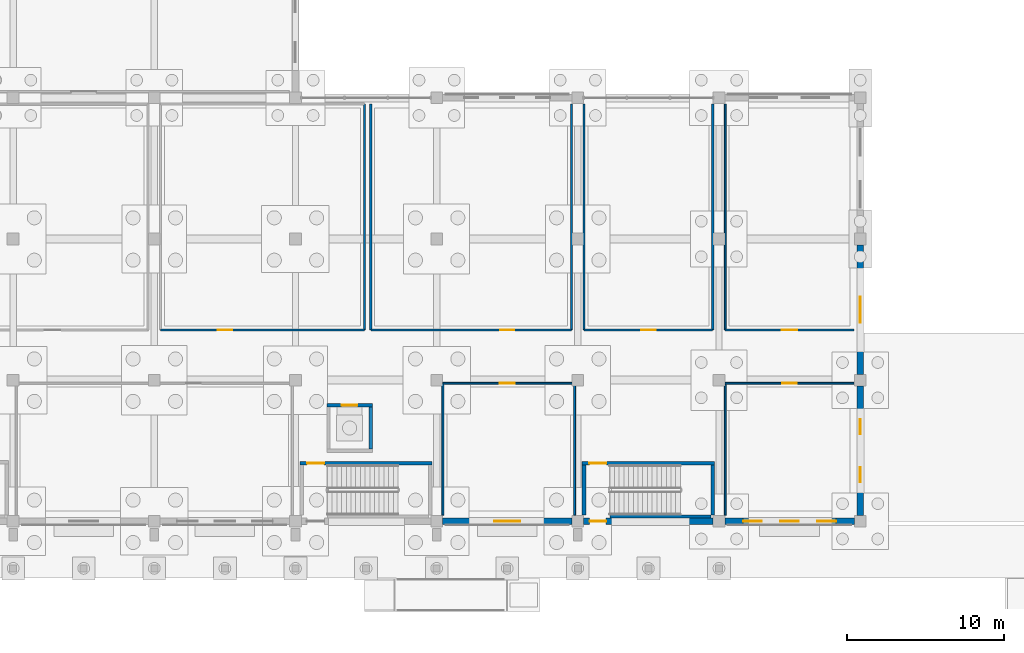
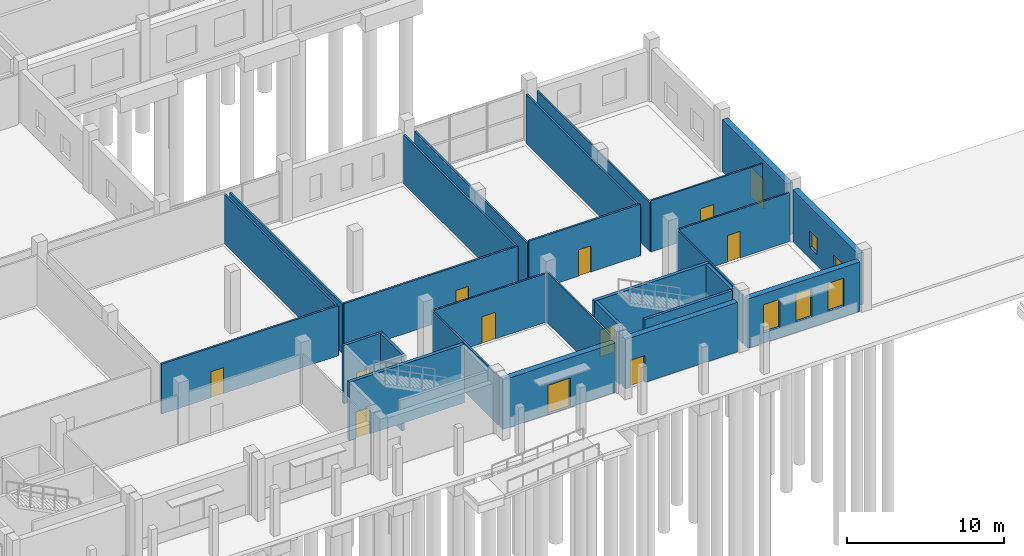
# One storey, part 65 of 112: 28 walls, 12 doors, 5 windows, 17 openings.
"""IFC4 building model written with IfcOpenShell, lengths in metres."""

from ifc_helpers import new_model, si_unit, direction, frame, frame_2d, origin, place, context, subcontext, project, spatial, rectangle, extrude, material, layer, layer_set, type_object, element, fill, save


model = new_model("IFC4")

# Units and contexts
model_context = context("Model", 3, precision=1e-05, world=origin(), true_north=direction((0.0, 1.0)))
body_context = subcontext(model_context, "Body", "Model", "MODEL_VIEW")
ifc_project = project(units=[si_unit("LENGTHUNIT", "METRE"), si_unit("AREAUNIT", "SQUARE_METRE"), si_unit("VOLUMEUNIT", "CUBIC_METRE"), si_unit("PLANEANGLEUNIT", "RADIAN"), si_unit("MASSUNIT", "GRAM", prefix="KILO")], contexts=[model_context])

# Site, building, storey
site_placement = place(None, origin())
site = spatial("IfcSite", under=ifc_project, at=site_placement, CompositionType="ELEMENT")
building_placement = place(site_placement, origin())
building = spatial("IfcBuilding", under=site, at=building_placement, Name="Tharagai Park Tramway Depot", CompositionType="ELEMENT")
storey_placement = place(building_placement, origin())
storey = spatial("IfcBuildingStorey", under=building, at=storey_placement, Name="L00", CompositionType="ELEMENT", Elevation=0.0)

# Wall, opening, door
ifc_material_1 = material(Name="Charnockite stone", Category="masonry")
ifc_layer_1 = layer(ifc_material_1, 0.419921875)
ifc_layer_set_1 = layer_set([ifc_layer_1], Name="Charnockite stone")
wall_type_1 = type_object("IfcWallType", Name="EW-07", PredefinedType="SOLIDWALL", material=ifc_layer_set_1)
wall_1_placement = place(storey_placement, frame((72.373046875, 0.0, 0.0), z_axis=(0.0, 0.0, 1.0), x_axis=(1.0, 0.0, 0.0)))
wall_1 = element("IfcWall", 1, at=wall_1_placement, inside=storey, type_object=wall_type_1, Name="L00 V4 Exterior Masonry Wall EW-07", PredefinedType="SOLIDWALL", context=body_context, shape_type="SweptSolid", body=[
    extrude(rectangle(XDim=8.25390625, YDim=0.419921875, at=frame_2d((4.126953125, 0.0))), origin(), (0.0, 0.0, 1.0), 3.842041015625),
])
opening_1_placement = place(wall_1_placement, frame((3.302001953125, 0.0, 0.0)))
opening_1 = element("IfcOpeningElement", 2, at=opening_1_placement, cuts=wall_1, Name="Opening ED-06", PredefinedType="OPENING", context=body_context, shape_type="SweptSolid", body=[
    extrude(rectangle(XDim=1.64990234375, YDim=2.280029296875, at=frame_2d((0.824951171875, 1.14013671875))), frame((0.0, 0.219970703125, 0.0), z_axis=(0.0, -1.0, 0.0), x_axis=(1.0, 0.0, 0.0)), (0.0, 0.0, 1.0), 0.43994140625),
])
ifc_material_2 = material(Name="Anodised aluminium", Category="aluminium")
door_type_1 = type_object("IfcDoorType", Name="ED-06", OperationType="DOUBLE_SWING_LEFT", PredefinedType="DOOR", material=ifc_material_2)
door_1_placement = place(opening_1_placement, frame((1.64990234375, 0.0, 0.0), z_axis=(0.0, 0.0, 1.0), x_axis=(-1.0, 0.0, 0.0)))
door_1 = element("IfcDoor", 3, at=door_1_placement, inside=storey, type_object=door_type_1, Name="Civic Entrance Double Door", OperationType="DOUBLE_SWING_LEFT", OverallHeight=2.280029296875, OverallWidth=1.64990234375, PredefinedType="DOOR", context=body_context, shape_type="SweptSolid", body=[
    extrude(rectangle(XDim=1.64990234375, YDim=2.280029296875, at=frame_2d((0.824951171875, 1.14013671875))), frame((0.0, 0.02490234375, 0.0), z_axis=(0.0, -1.0, 0.0), x_axis=(1.0, 0.0, 0.0)), (0.0, 0.0, 1.0), 0.050048828125),
])
fill(opening_1, door_1)

wall_2_placement = place(storey_placement, frame((81.373046875, 0.0, 0.0), z_axis=(0.0, 0.0, 1.0), x_axis=(1.0, 0.0, 0.0)))
wall_2 = element("IfcWall", 4, at=wall_2_placement, inside=storey, type_object=wall_type_1, Name="L00 V4 Exterior Masonry Wall EW-07", PredefinedType="SOLIDWALL", context=body_context, shape_type="SweptSolid", body=[
    extrude(rectangle(XDim=8.25390625, YDim=0.419921875, at=frame_2d((4.126953125, 0.0))), origin(), (0.0, 0.0, 1.0), 3.842041015625),
])
opening_2_placement = place(wall_2_placement, frame((0.376953125, 0.0, 0.0)))
opening_2 = element("IfcOpeningElement", 5, at=opening_2_placement, cuts=wall_2, Name="Opening ED-05", PredefinedType="OPENING", context=body_context, shape_type="SweptSolid", body=[
    extrude(rectangle(XDim=1.06005859375, YDim=2.10009765625, at=frame_2d((0.530029296875, 1.050048828125))), frame((0.0, 0.219970703125, 0.0), z_axis=(0.0, -1.0, 0.0), x_axis=(1.0, 0.0, 0.0)), (0.0, 0.0, 1.0), 0.43994140625),
])
door_type_2 = type_object("IfcDoorType", Name="ED-05", OperationType="NOTDEFINED", PredefinedType="DOOR", material=ifc_material_2)
door_2_placement = place(opening_2_placement, frame((1.06005859375, 0.0, 0.0), z_axis=(0.0, 0.0, 1.0), x_axis=(-1.0, 0.0, 0.0)))
door_2 = element("IfcDoor", 6, at=door_2_placement, inside=storey, type_object=door_type_2, Name="Core C5 Final Exit Door", OperationType="SINGLE_SWING_LEFT", OverallHeight=2.10009765625, OverallWidth=1.06005859375, PredefinedType="DOOR", context=body_context, shape_type="SweptSolid", body=[
    extrude(rectangle(XDim=1.06005859375, YDim=2.10009765625, at=frame_2d((0.530029296875, 1.050048828125))), frame((0.0, 0.02490234375, 0.0), z_axis=(0.0, -1.0, 0.0), x_axis=(1.0, 0.0, 0.0)), (0.0, 0.0, 1.0), 0.050048828125),
])
fill(opening_2, door_2)

# Wall, openings, windows
wall_3_placement = place(storey_placement, frame((90.373046875, 0.0, 0.0), z_axis=(0.0, 0.0, 1.0), x_axis=(1.0, 0.0, 0.0)))
wall_3 = element("IfcWall", 7, at=wall_3_placement, inside=storey, type_object=wall_type_1, Name="L00 V4 Exterior Masonry Wall EW-07", PredefinedType="SOLIDWALL", context=body_context, shape_type="SweptSolid", body=[
    extrude(rectangle(XDim=8.25390625, YDim=0.419921875, at=frame_2d((4.126953125, 0.0))), origin(), (0.0, 0.0, 1.0), 3.842041015625),
])
opening_3_placement = place(wall_3_placement, frame((1.1630859375, 0.0, 0.800048828125)))
opening_3 = element("IfcOpeningElement", 8, at=opening_3_placement, cuts=wall_3, Name="Opening WN-15", PredefinedType="OPENING", context=body_context, shape_type="SweptSolid", body=[
    extrude(rectangle(XDim=1.199951171875, YDim=2.199951171875, at=frame_2d((0.60009765625, 1.10009765625))), frame((0.0, 0.219970703125, 0.0), z_axis=(0.0, -1.0, 0.0), x_axis=(1.0, 0.0, 0.0)), (0.0, 0.0, 1.0), 0.43994140625),
])
opening_4_placement = place(wall_3_placement, frame((3.527099609375, 0.0, 0.800048828125)))
opening_4 = element("IfcOpeningElement", 9, at=opening_4_placement, cuts=wall_3, Name="Opening WN-15", PredefinedType="OPENING", context=body_context, shape_type="SweptSolid", body=[
    extrude(rectangle(XDim=1.199951171875, YDim=2.199951171875, at=frame_2d((0.60009765625, 1.10009765625))), frame((0.0, 0.219970703125, 0.0), z_axis=(0.0, -1.0, 0.0), x_axis=(1.0, 0.0, 0.0)), (0.0, 0.0, 1.0), 0.43994140625),
])
opening_5_placement = place(wall_3_placement, frame((5.889892578125, 0.0, 0.800048828125)))
opening_5 = element("IfcOpeningElement", 10, at=opening_5_placement, cuts=wall_3, Name="Opening WN-15", PredefinedType="OPENING", context=body_context, shape_type="SweptSolid", body=[
    extrude(rectangle(XDim=1.199951171875, YDim=2.199951171875, at=frame_2d((0.60009765625, 1.10009765625))), frame((0.0, 0.219970703125, 0.0), z_axis=(0.0, -1.0, 0.0), x_axis=(1.0, 0.0, 0.0)), (0.0, 0.0, 1.0), 0.43994140625),
])
ifc_material_3 = material(Name="Laminated solar-control glass", Category="glass")
window_type_1 = type_object("IfcWindowType", Name="WN-15", PartitioningType="SINGLE_PANEL", PredefinedType="WINDOW", material=ifc_material_3)
window_1_placement = place(opening_3_placement, origin())
window_1 = element("IfcWindow", 11, at=window_1_placement, inside=storey, type_object=window_type_1, Name="L00 V4 Gothic Lancet Window WN-15", OverallHeight=2.199951171875, OverallWidth=1.199951171875, PartitioningType="SINGLE_PANEL", PredefinedType="WINDOW", context=body_context, shape_type="SweptSolid", body=[
    extrude(rectangle(XDim=1.199951171875, YDim=2.199951171875, at=frame_2d((0.60009765625, 1.10009765625))), frame((0.0, 0.030029296875, 0.0), z_axis=(0.0, -1.0, 0.0), x_axis=(1.0, 0.0, 0.0)), (0.0, 0.0, 1.0), 0.06005859375),
])
fill(opening_3, window_1)
window_2_placement = place(opening_4_placement, origin())
window_2 = element("IfcWindow", 12, at=window_2_placement, inside=storey, type_object=window_type_1, Name="L00 V4 Gothic Lancet Window WN-15", OverallHeight=2.199951171875, OverallWidth=1.199951171875, PartitioningType="SINGLE_PANEL", PredefinedType="WINDOW", context=body_context, shape_type="SweptSolid", body=[
    extrude(rectangle(XDim=1.199951171875, YDim=2.199951171875, at=frame_2d((0.60009765625, 1.10009765625))), frame((0.0, 0.030029296875, 0.0), z_axis=(0.0, -1.0, 0.0), x_axis=(1.0, 0.0, 0.0)), (0.0, 0.0, 1.0), 0.06005859375),
])
fill(opening_4, window_2)
window_3_placement = place(opening_5_placement, origin())
window_3 = element("IfcWindow", 13, at=window_3_placement, inside=storey, type_object=window_type_1, Name="L00 V4 Gothic Lancet Window WN-15", OverallHeight=2.199951171875, OverallWidth=1.199951171875, PartitioningType="SINGLE_PANEL", PredefinedType="WINDOW", context=body_context, shape_type="SweptSolid", body=[
    extrude(rectangle(XDim=1.199951171875, YDim=2.199951171875, at=frame_2d((0.60009765625, 1.10009765625))), frame((0.0, 0.030029296875, 0.0), z_axis=(0.0, -1.0, 0.0), x_axis=(1.0, 0.0, 0.0)), (0.0, 0.0, 1.0), 0.06005859375),
])
fill(opening_5, window_3)

wall_4_placement = place(storey_placement, frame((99.0, 0.373046875, 0.0), z_axis=(0.0, 0.0, 1.0), x_axis=(0.0, 1.0, 0.0)))
wall_4 = element("IfcWall", 14, at=wall_4_placement, inside=storey, type_object=wall_type_1, Name="L00 V4 Exterior Masonry Wall EW-07", PredefinedType="SOLIDWALL", context=body_context, shape_type="SweptSolid", body=[
    extrude(rectangle(XDim=8.25390625, YDim=0.419921875, at=frame_2d((4.126953125, 0.0))), origin(), (0.0, 0.0, 1.0), 4.0419921875),
])
opening_6_placement = place(wall_4_placement, frame((2.125, 0.0, 0.85009765625)))
opening_6 = element("IfcOpeningElement", 15, at=opening_6_placement, cuts=wall_4, Name="Opening WN-45", PredefinedType="OPENING", context=body_context, shape_type="SweptSolid", body=[
    extrude(rectangle(XDim=0.93994140625, YDim=1.280029296875, at=frame_2d((0.469970703125, 0.64013671875))), frame((0.0, 0.219970703125, 0.0), z_axis=(0.0, -1.0, 0.0), x_axis=(1.0, 0.0, 0.0)), (0.0, 0.0, 1.0), 0.43994140625),
])
opening_7_placement = place(wall_4_placement, frame((5.18896484375, 0.0, 0.85009765625)))
opening_7 = element("IfcOpeningElement", 16, at=opening_7_placement, cuts=wall_4, Name="Opening WN-45", PredefinedType="OPENING", context=body_context, shape_type="SweptSolid", body=[
    extrude(rectangle(XDim=0.93994140625, YDim=1.280029296875, at=frame_2d((0.469970703125, 0.64013671875))), frame((0.0, 0.219970703125, 0.0), z_axis=(0.0, -1.0, 0.0), x_axis=(1.0, 0.0, 0.0)), (0.0, 0.0, 1.0), 0.43994140625),
])
window_type_2 = type_object("IfcWindowType", Name="WN-45", PartitioningType="SINGLE_PANEL", PredefinedType="WINDOW", material=ifc_material_3)
window_4_placement = place(opening_6_placement, origin())
window_4 = element("IfcWindow", 17, at=window_4_placement, inside=storey, type_object=window_type_2, Name="L00 V4 Side Lancet Window WN-45", OverallHeight=1.280029296875, OverallWidth=0.93994140625, PartitioningType="SINGLE_PANEL", PredefinedType="WINDOW", context=body_context, shape_type="SweptSolid", body=[
    extrude(rectangle(XDim=0.93994140625, YDim=1.280029296875, at=frame_2d((0.469970703125, 0.64013671875))), frame((0.0, 0.030029296875, 0.0), z_axis=(0.0, -1.0, 0.0), x_axis=(1.0, 0.0, 0.0)), (0.0, 0.0, 1.0), 0.06005859375),
])
fill(opening_6, window_4)
window_5_placement = place(opening_7_placement, origin())
window_5 = element("IfcWindow", 18, at=window_5_placement, inside=storey, type_object=window_type_2, Name="L00 V4 Side Lancet Window WN-45", OverallHeight=1.280029296875, OverallWidth=0.93994140625, PartitioningType="SINGLE_PANEL", PredefinedType="WINDOW", context=body_context, shape_type="SweptSolid", body=[
    extrude(rectangle(XDim=0.93994140625, YDim=1.280029296875, at=frame_2d((0.469970703125, 0.64013671875))), frame((0.0, 0.030029296875, 0.0), z_axis=(0.0, -1.0, 0.0), x_axis=(1.0, 0.0, 0.0)), (0.0, 0.0, 1.0), 0.06005859375),
])
fill(opening_7, window_5)

# Wall, opening, door
wall_5_placement = place(storey_placement, frame((99.0, 9.373046875, 0.0), z_axis=(0.0, 0.0, 1.0), x_axis=(0.0, 1.0, 0.0)))
wall_5 = element("IfcWall", 19, at=wall_5_placement, inside=storey, type_object=wall_type_1, Name="L00 V4 Exterior Masonry Wall EW-07", PredefinedType="SOLIDWALL", context=body_context, shape_type="SweptSolid", body=[
    extrude(rectangle(XDim=8.25390625, YDim=0.419921875, at=frame_2d((4.126953125, 0.0))), origin(), (0.0, 0.0, 1.0), 4.0419921875),
])
opening_8_placement = place(wall_5_placement, frame((3.302001953125, 0.0, 0.0)))
opening_8 = element("IfcOpeningElement", 20, at=opening_8_placement, cuts=wall_5, Name="Opening ED-06", PredefinedType="OPENING", context=body_context, shape_type="SweptSolid", body=[
    extrude(rectangle(XDim=1.64990234375, YDim=2.280029296875, at=frame_2d((0.824951171875, 1.14013671875))), frame((0.0, 0.219970703125, 0.0), z_axis=(0.0, -1.0, 0.0), x_axis=(1.0, 0.0, 0.0)), (0.0, 0.0, 1.0), 0.43994140625),
])
door_3_placement = place(opening_8_placement, frame((1.64990234375, 0.0, 0.0), z_axis=(0.0, 0.0, 1.0), x_axis=(-1.0, 0.0, 0.0)))
door_3 = element("IfcDoor", 21, at=door_3_placement, inside=storey, type_object=door_type_1, Name="Side Wing Entrance Door", OperationType="DOUBLE_SWING_LEFT", OverallHeight=2.280029296875, OverallWidth=1.64990234375, PredefinedType="DOOR", context=body_context, shape_type="SweptSolid", body=[
    extrude(rectangle(XDim=1.64990234375, YDim=2.280029296875, at=frame_2d((0.824951171875, 1.14013671875))), frame((0.0, 0.02490234375, 0.0), z_axis=(0.0, -1.0, 0.0), x_axis=(1.0, 0.0, 0.0)), (0.0, 0.0, 1.0), 0.050048828125),
])
fill(opening_8, door_3)

ifc_material_4 = material(Name="Pressed clay brick", Category="masonry")
ifc_layer_2 = layer(ifc_material_4, 0.139892578125)
ifc_layer_set_2 = layer_set([ifc_layer_2], Name="Pressed clay brick")
wall_type_2 = type_object("IfcWallType", Name="IW-01", PredefinedType="PARTITIONING", material=ifc_layer_set_2)
wall_6_placement = place(storey_placement, frame((54.39990234375, 12.199951171875, 0.0), z_axis=(0.0, 0.0, 1.0), x_axis=(1.0, 0.0, 0.0)))
wall_6 = element("IfcWall", 22, at=wall_6_placement, inside=storey, type_object=wall_type_2, Name="Ground Male WC Partition South", PredefinedType="PARTITIONING", context=body_context, shape_type="SweptSolid", body=[
    extrude(rectangle(XDim=13.0, YDim=0.139892578125, at=frame_2d((6.5, 0.0))), origin(), (0.0, 0.0, 1.0), 3.89501953125),
])
opening_9_placement = place(wall_6_placement, frame((3.64501953125, 0.0, 0.0)))
opening_9 = element("IfcOpeningElement", 23, at=opening_9_placement, cuts=wall_6, Name="Opening ID-08", PredefinedType="OPENING", context=body_context, shape_type="SweptSolid", body=[
    extrude(rectangle(XDim=0.909912109375, YDim=2.0400390625, at=frame_2d((0.455078125, 1.02001953125))), frame((0.0, 0.079833984375, 0.0), z_axis=(0.0, -1.0, 0.0), x_axis=(1.0, 0.0, 0.0)), (0.0, 0.0, 1.0), 0.159912109375),
])
ifc_material_5 = material(Name="Pressed timber", Category="wood")
door_type_3 = type_object("IfcDoorType", Name="ID-08", OperationType="NOTDEFINED", PredefinedType="DOOR", material=ifc_material_5)
door_4_placement = place(opening_9_placement, frame((0.909912109375, 0.0, 0.0), z_axis=(0.0, 0.0, 1.0), x_axis=(-1.0, 0.0, 0.0)))
door_4 = element("IfcDoor", 24, at=door_4_placement, inside=storey, type_object=door_type_3, Name="Ground Male WC Door", OperationType="SINGLE_SWING_RIGHT", OverallHeight=2.0400390625, OverallWidth=0.909912109375, PredefinedType="DOOR", context=body_context, shape_type="SweptSolid", body=[
    extrude(rectangle(XDim=0.909912109375, YDim=2.0400390625, at=frame_2d((0.455078125, 1.02001953125))), frame((0.0, 0.02490234375, 0.0), z_axis=(0.0, -1.0, 0.0), x_axis=(1.0, 0.0, 0.0)), (0.0, 0.0, 1.0), 0.050048828125),
])
fill(opening_9, door_4)

# Wall
wall_7_placement = place(storey_placement, frame((67.39990234375, 12.199951171875, 0.0), z_axis=(0.0, 0.0, 1.0), x_axis=(0.0, 1.0, 0.0)))
element("IfcWall", 25, at=wall_7_placement, inside=storey, type_object=wall_type_2, Name="Ground Male WC Partition East", PredefinedType="PARTITIONING", context=body_context, shape_type="SweptSolid", body=[
    extrude(rectangle(XDim=14.400146484375, YDim=0.139892578125, at=frame_2d((7.2001953125, 0.0))), origin(), (0.0, 0.0, 1.0), 3.794921875),
])

# Wall, opening, door
wall_8_placement = place(storey_placement, frame((67.800048828125, 12.199951171875, 0.0), z_axis=(0.0, 0.0, 1.0), x_axis=(1.0, 0.0, 0.0)))
wall_8 = element("IfcWall", 26, at=wall_8_placement, inside=storey, type_object=wall_type_2, Name="Ground Female WC Partition South", PredefinedType="PARTITIONING", context=body_context, shape_type="SweptSolid", body=[
    extrude(rectangle(XDim=12.800048828125, YDim=0.139892578125, at=frame_2d((6.39990234375, 0.0))), origin(), (0.0, 0.0, 1.0), 3.89501953125),
])
opening_10_placement = place(wall_8_placement, frame((8.2451171875, 0.0, 0.0)))
opening_10 = element("IfcOpeningElement", 27, at=opening_10_placement, cuts=wall_8, Name="Opening ID-08", PredefinedType="OPENING", context=body_context, shape_type="SweptSolid", body=[
    extrude(rectangle(XDim=0.909912109375, YDim=2.0400390625, at=frame_2d((0.455078125, 1.02001953125))), frame((0.0, 0.079833984375, 0.0), z_axis=(0.0, -1.0, 0.0), x_axis=(1.0, 0.0, 0.0)), (0.0, 0.0, 1.0), 0.159912109375),
])
door_5_placement = place(opening_10_placement, frame((0.909912109375, 0.0, 0.0), z_axis=(0.0, 0.0, 1.0), x_axis=(-1.0, 0.0, 0.0)))
door_5 = element("IfcDoor", 28, at=door_5_placement, inside=storey, type_object=door_type_3, Name="Ground Female WC Door", OperationType="SINGLE_SWING_LEFT", OverallHeight=2.0400390625, OverallWidth=0.909912109375, PredefinedType="DOOR", context=body_context, shape_type="SweptSolid", body=[
    extrude(rectangle(XDim=0.909912109375, YDim=2.0400390625, at=frame_2d((0.455078125, 1.02001953125))), frame((0.0, 0.02490234375, 0.0), z_axis=(0.0, -1.0, 0.0), x_axis=(1.0, 0.0, 0.0)), (0.0, 0.0, 1.0), 0.050048828125),
])
fill(opening_10, door_5)

# Walls
for number, where, z_axis, x_axis, name in (
    (29, (67.800048828125, 12.199951171875, 0.0), (0.0, 0.0, 1.0), (0.0, 1.0, 0.0), "Ground Female WC Partition West"),
    (30, (80.60009765625, 12.199951171875, 0.0), (0.0, 0.0, 1.0), (0.0, 1.0, 0.0), "Ground Female WC Partition East"),
):
    element("IfcWall", number, at=place(storey_placement, frame(where, z_axis=z_axis, x_axis=x_axis)), inside=storey, type_object=wall_type_2, Name=name, PredefinedType="PARTITIONING", context=body_context, shape_type="SweptSolid", body=[
        extrude(rectangle(XDim=14.400146484375, YDim=0.139892578125, at=frame_2d((7.2001953125, 0.0))), origin(), (0.0, 0.0, 1.0), 3.794921875),
    ])

# Wall, opening, door
wall_9_placement = place(storey_placement, frame((81.39990234375, 12.199951171875, 0.0), z_axis=(0.0, 0.0, 1.0), x_axis=(1.0, 0.0, 0.0)))
wall_9 = element("IfcWall", 31, at=wall_9_placement, inside=storey, type_object=wall_type_2, Name="Ground Accessible WC Partition South", PredefinedType="PARTITIONING", context=body_context, shape_type="SweptSolid", body=[
    extrude(rectangle(XDim=8.2001953125, YDim=0.139892578125, at=frame_2d((4.10009765625, 0.0))), origin(), (0.0, 0.0, 1.0), 3.9951171875),
])
opening_11_placement = place(wall_9_placement, frame((3.64501953125, 0.0, 0.0)))
opening_11 = element("IfcOpeningElement", 32, at=opening_11_placement, cuts=wall_9, Name="Opening ID-08", PredefinedType="OPENING", context=body_context, shape_type="SweptSolid", body=[
    extrude(rectangle(XDim=0.909912109375, YDim=2.0400390625, at=frame_2d((0.455078125, 1.02001953125))), frame((0.0, 0.079833984375, 0.0), z_axis=(0.0, -1.0, 0.0), x_axis=(1.0, 0.0, 0.0)), (0.0, 0.0, 1.0), 0.159912109375),
])
door_6_placement = place(opening_11_placement, frame((0.909912109375, 0.0, 0.0), z_axis=(0.0, 0.0, 1.0), x_axis=(-1.0, 0.0, 0.0)))
door_6 = element("IfcDoor", 33, at=door_6_placement, inside=storey, type_object=door_type_3, Name="Ground Accessible WC Door", OperationType="SINGLE_SWING_RIGHT", OverallHeight=2.0400390625, OverallWidth=0.909912109375, PredefinedType="DOOR", context=body_context, shape_type="SweptSolid", body=[
    extrude(rectangle(XDim=0.909912109375, YDim=2.0400390625, at=frame_2d((0.455078125, 1.02001953125))), frame((0.0, 0.02490234375, 0.0), z_axis=(0.0, -1.0, 0.0), x_axis=(1.0, 0.0, 0.0)), (0.0, 0.0, 1.0), 0.050048828125),
])
fill(opening_11, door_6)

# Walls
for number, where, z_axis, x_axis, name in (
    (34, (81.39990234375, 12.199951171875, 0.0), (0.0, 0.0, 1.0), (0.0, 1.0, 0.0), "Ground Accessible WC Partition West"),
    (35, (89.60009765625, 12.199951171875, 0.0), (0.0, 0.0, 1.0), (0.0, 1.0, 0.0), "Ground Accessible WC Partition East"),
):
    element("IfcWall", number, at=place(storey_placement, frame(where, z_axis=z_axis, x_axis=x_axis)), inside=storey, type_object=wall_type_2, Name=name, PredefinedType="PARTITIONING", context=body_context, shape_type="SweptSolid", body=[
        extrude(rectangle(XDim=14.400146484375, YDim=0.139892578125, at=frame_2d((7.2001953125, 0.0))), origin(), (0.0, 0.0, 1.0), 3.794921875),
    ])

# Wall, opening, door
ifc_material_6 = material(Name="Gypsum board", Category="gypsum")
ifc_layer_3 = layer(ifc_material_6, 0.1201171875)
ifc_layer_set_3 = layer_set([ifc_layer_3], Name="Gypsum board")
wall_type_3 = type_object("IfcWallType", Name="IW-03", PredefinedType="PARTITIONING", material=ifc_layer_set_3)
wall_10_placement = place(storey_placement, frame((72.39990234375, 8.800048828125, 0.0), z_axis=(0.0, 0.0, 1.0), x_axis=(1.0, 0.0, 0.0)))
wall_10 = element("IfcWall", 36, at=wall_10_placement, inside=storey, type_object=wall_type_3, Name="Occupational First Aid and Medical Suite Partition North", PredefinedType="PARTITIONING", context=body_context, shape_type="SweptSolid", body=[
    extrude(rectangle(XDim=8.400146484375, YDim=0.1201171875, at=frame_2d((4.2001953125, 0.0))), origin(), (0.0, 0.0, 1.0), 3.794921875),
])
opening_12_placement = place(wall_10_placement, frame((3.610107421875, 0.0, 0.0)))
opening_12 = element("IfcOpeningElement", 37, at=opening_12_placement, cuts=wall_10, Name="Opening ID-02", PredefinedType="OPENING", context=body_context, shape_type="SweptSolid", body=[
    extrude(rectangle(XDim=0.97998046875, YDim=2.080078125, at=frame_2d((0.489990234375, 1.0400390625))), frame((0.0, 0.070068359375, 0.0), z_axis=(0.0, -1.0, 0.0), x_axis=(1.0, 0.0, 0.0)), (0.0, 0.0, 1.0), 0.14013671875),
])
door_type_4 = type_object("IfcDoorType", Name="ID-02", OperationType="NOTDEFINED", PredefinedType="DOOR", material=ifc_material_5)
door_7_placement = place(opening_12_placement, origin())
door_7 = element("IfcDoor", 38, at=door_7_placement, inside=storey, type_object=door_type_4, Name="Occupational First Aid and Medical Suite Door", OperationType="SINGLE_SWING_RIGHT", OverallHeight=2.080078125, OverallWidth=0.97998046875, PredefinedType="DOOR", context=body_context, shape_type="SweptSolid", body=[
    extrude(rectangle(XDim=0.97998046875, YDim=2.080078125, at=frame_2d((0.489990234375, 1.0400390625))), frame((0.0, 0.02490234375, 0.0), z_axis=(0.0, -1.0, 0.0), x_axis=(1.0, 0.0, 0.0)), (0.0, 0.0, 1.0), 0.050048828125),
])
fill(opening_12, door_7)

# Walls
wall_11_placement = place(storey_placement, frame((72.39990234375, 0.39990234375, 0.0), z_axis=(0.0, 0.0, 1.0), x_axis=(0.0, 1.0, 0.0)))
element("IfcWall", 39, at=wall_11_placement, inside=storey, type_object=wall_type_3, Name="Occupational First Aid and Medical Suite Partition West", PredefinedType="PARTITIONING", context=body_context, shape_type="SweptSolid", body=[
    extrude(rectangle(XDim=8.400146484375, YDim=0.1201171875, at=frame_2d((4.2001953125, 0.0))), origin(), (0.0, 0.0, 1.0), 3.794921875),
])
wall_12_placement = place(storey_placement, frame((80.800048828125, 0.39990234375, 0.0), z_axis=(0.0, 0.0, 1.0), x_axis=(0.0, 1.0, 0.0)))
element("IfcWall", 40, at=wall_12_placement, inside=storey, type_object=wall_type_3, Name="Occupational First Aid and Medical Suite Partition East", PredefinedType="PARTITIONING", context=body_context, shape_type="SweptSolid", body=[
    extrude(rectangle(XDim=8.400146484375, YDim=0.1201171875, at=frame_2d((4.2001953125, 0.0))), origin(), (0.0, 0.0, 1.0), 3.89501953125),
])

# Wall, opening, door
wall_13_placement = place(storey_placement, frame((90.39990234375, 8.800048828125, 0.0), z_axis=(0.0, 0.0, 1.0), x_axis=(1.0, 0.0, 0.0)))
wall_13 = element("IfcWall", 41, at=wall_13_placement, inside=storey, type_object=wall_type_3, Name="Depot Security and Lost Property Reception Partition North", PredefinedType="PARTITIONING", context=body_context, shape_type="SweptSolid", body=[
    extrude(rectangle(XDim=8.2001953125, YDim=0.1201171875, at=frame_2d((4.10009765625, 0.0))), origin(), (0.0, 0.0, 1.0), 3.794921875),
])
opening_13_placement = place(wall_13_placement, frame((3.6298828125, 0.0, 0.0)))
opening_13 = element("IfcOpeningElement", 42, at=opening_13_placement, cuts=wall_13, Name="Opening ID-03", PredefinedType="OPENING", context=body_context, shape_type="SweptSolid", body=[
    extrude(rectangle(XDim=0.93994140625, YDim=2.06005859375, at=frame_2d((0.469970703125, 1.030029296875))), frame((0.0, 0.070068359375, 0.0), z_axis=(0.0, -1.0, 0.0), x_axis=(1.0, 0.0, 0.0)), (0.0, 0.0, 1.0), 0.14013671875),
])
door_type_5 = type_object("IfcDoorType", Name="ID-03", OperationType="NOTDEFINED", PredefinedType="DOOR", material=ifc_material_5)
door_8_placement = place(opening_13_placement, origin())
door_8 = element("IfcDoor", 43, at=door_8_placement, inside=storey, type_object=door_type_5, Name="Depot Security and Lost Property Reception Door", OperationType="SINGLE_SWING_LEFT", OverallHeight=2.06005859375, OverallWidth=0.93994140625, PredefinedType="DOOR", context=body_context, shape_type="SweptSolid", body=[
    extrude(rectangle(XDim=0.93994140625, YDim=2.06005859375, at=frame_2d((0.469970703125, 1.030029296875))), frame((0.0, 0.02490234375, 0.0), z_axis=(0.0, -1.0, 0.0), x_axis=(1.0, 0.0, 0.0)), (0.0, 0.0, 1.0), 0.050048828125),
])
fill(opening_13, door_8)

# Wall
wall_14_placement = place(storey_placement, frame((90.39990234375, 0.39990234375, 0.0), z_axis=(0.0, 0.0, 1.0), x_axis=(0.0, 1.0, 0.0)))
element("IfcWall", 44, at=wall_14_placement, inside=storey, type_object=wall_type_3, Name="Depot Security and Lost Property Reception Partition West", PredefinedType="PARTITIONING", context=body_context, shape_type="SweptSolid", body=[
    extrude(rectangle(XDim=8.400146484375, YDim=0.1201171875, at=frame_2d((4.2001953125, 0.0))), origin(), (0.0, 0.0, 1.0), 3.794921875),
])

# Wall, opening, door
wall_15_placement = place(storey_placement, frame((90.39990234375, 12.199951171875, 0.0), z_axis=(0.0, 0.0, 1.0), x_axis=(1.0, 0.0, 0.0)))
wall_15 = element("IfcWall", 45, at=wall_15_placement, inside=storey, type_object=wall_type_3, Name="Staff Cycle Store and Drying Room Partition South", PredefinedType="PARTITIONING", context=body_context, shape_type="SweptSolid", body=[
    extrude(rectangle(XDim=8.2001953125, YDim=0.1201171875, at=frame_2d((4.10009765625, 0.0))), origin(), (0.0, 0.0, 1.0), 3.9951171875),
])
opening_14_placement = place(wall_15_placement, frame((3.610107421875, 0.0, 0.0)))
opening_14 = element("IfcOpeningElement", 46, at=opening_14_placement, cuts=wall_15, Name="Opening ID-02", PredefinedType="OPENING", context=body_context, shape_type="SweptSolid", body=[
    extrude(rectangle(XDim=0.97998046875, YDim=2.080078125, at=frame_2d((0.489990234375, 1.0400390625))), frame((0.0, 0.070068359375, 0.0), z_axis=(0.0, -1.0, 0.0), x_axis=(1.0, 0.0, 0.0)), (0.0, 0.0, 1.0), 0.14013671875),
])
door_9_placement = place(opening_14_placement, frame((0.97998046875, 0.0, 0.0), z_axis=(0.0, 0.0, 1.0), x_axis=(-1.0, 0.0, 0.0)))
door_9 = element("IfcDoor", 47, at=door_9_placement, inside=storey, type_object=door_type_4, Name="Staff Cycle Store and Drying Room Door", OperationType="SINGLE_SWING_LEFT", OverallHeight=2.080078125, OverallWidth=0.97998046875, PredefinedType="DOOR", context=body_context, shape_type="SweptSolid", body=[
    extrude(rectangle(XDim=0.97998046875, YDim=2.080078125, at=frame_2d((0.489990234375, 1.0400390625))), frame((0.0, 0.02490234375, 0.0), z_axis=(0.0, -1.0, 0.0), x_axis=(1.0, 0.0, 0.0)), (0.0, 0.0, 1.0), 0.050048828125),
])
fill(opening_14, door_9)

# Wall
wall_16_placement = place(storey_placement, frame((90.39990234375, 12.199951171875, 0.0), z_axis=(0.0, 0.0, 1.0), x_axis=(0.0, 1.0, 0.0)))
element("IfcWall", 48, at=wall_16_placement, inside=storey, type_object=wall_type_3, Name="Staff Cycle Store and Drying Room Partition West", PredefinedType="PARTITIONING", context=body_context, shape_type="SweptSolid", body=[
    extrude(rectangle(XDim=14.400146484375, YDim=0.1201171875, at=frame_2d((7.2001953125, 0.0))), origin(), (0.0, 0.0, 1.0), 3.794921875),
])

# Wall, opening, door
ifc_material_7 = material(Name="Concrete M40", Category="concrete")
ifc_layer_4 = layer(ifc_material_7, 0.239990234375)
ifc_layer_set_4 = layer_set([ifc_layer_4], Name="Concrete M40")
wall_type_4 = type_object("IfcWallType", Name="SW-01", PredefinedType="SHEAR", material=ifc_layer_set_4)
wall_17_placement = place(storey_placement, frame((63.280029296875, 3.7099609375, 0.0), z_axis=(0.0, 0.0, 1.0), x_axis=(1.0, 0.0, 0.0)))
wall_17 = element("IfcWall", 49, at=wall_17_placement, inside=storey, type_object=wall_type_4, Name="Core C4 L00 Shear Wall North", PredefinedType="SHEAR", context=body_context, shape_type="SweptSolid", body=[
    extrude(rectangle(XDim=8.43994140625, YDim=0.239990234375, at=frame_2d((4.219970703125, 0.0))), origin(), (0.0, 0.0, 1.0), 4.550048828125),
])
opening_15_placement = place(wall_17_placement, frame((0.4599609375, 0.0, 0.0)))
opening_15 = element("IfcOpeningElement", 50, at=opening_15_placement, cuts=wall_17, Name="Opening ID-05", PredefinedType="OPENING", context=body_context, shape_type="SweptSolid", body=[
    extrude(rectangle(XDim=1.080078125, YDim=2.080078125, at=frame_2d((0.5400390625, 1.0400390625))), frame((0.0, 0.1298828125, 0.0), z_axis=(0.0, -1.0, 0.0), x_axis=(1.0, 0.0, 0.0)), (0.0, 0.0, 1.0), 0.260009765625),
])
ifc_material_8 = material(Name="Galvanised steel", Category="steel")
door_type_6 = type_object("IfcDoorType", Name="ID-05", OperationType="NOTDEFINED", PredefinedType="DOOR", material=ifc_material_8)
door_10_placement = place(opening_15_placement, origin())
door_10 = element("IfcDoor", 51, at=door_10_placement, inside=storey, type_object=door_type_6, Name="Stair ST-04 L00 Fire Door", OperationType="SINGLE_SWING_RIGHT", OverallHeight=2.080078125, OverallWidth=1.080078125, PredefinedType="DOOR", context=body_context, shape_type="SweptSolid", body=[
    extrude(rectangle(XDim=1.080078125, YDim=2.080078125, at=frame_2d((0.5400390625, 1.0400390625))), frame((0.0, 0.02490234375, 0.0), z_axis=(0.0, -1.0, 0.0), x_axis=(1.0, 0.0, 0.0)), (0.0, 0.0, 1.0), 0.050048828125),
])
fill(opening_15, door_10)

wall_18_placement = place(storey_placement, frame((81.280029296875, 3.7099609375, 0.0), z_axis=(0.0, 0.0, 1.0), x_axis=(1.0, 0.0, 0.0)))
wall_18 = element("IfcWall", 52, at=wall_18_placement, inside=storey, type_object=wall_type_4, Name="Core C5 L00 Shear Wall North", PredefinedType="SHEAR", context=body_context, shape_type="SweptSolid", body=[
    extrude(rectangle(XDim=8.43994140625, YDim=0.239990234375, at=frame_2d((4.219970703125, 0.0))), origin(), (0.0, 0.0, 1.0), 4.550048828125),
])
opening_16_placement = place(wall_18_placement, frame((0.4599609375, 0.0, 0.0)))
opening_16 = element("IfcOpeningElement", 53, at=opening_16_placement, cuts=wall_18, Name="Opening ID-05", PredefinedType="OPENING", context=body_context, shape_type="SweptSolid", body=[
    extrude(rectangle(XDim=1.080078125, YDim=2.080078125, at=frame_2d((0.5400390625, 1.0400390625))), frame((0.0, 0.1298828125, 0.0), z_axis=(0.0, -1.0, 0.0), x_axis=(1.0, 0.0, 0.0)), (0.0, 0.0, 1.0), 0.260009765625),
])
door_11_placement = place(opening_16_placement, origin())
door_11 = element("IfcDoor", 54, at=door_11_placement, inside=storey, type_object=door_type_6, Name="Stair ST-05 L00 Fire Door", OperationType="SINGLE_SWING_RIGHT", OverallHeight=2.080078125, OverallWidth=1.080078125, PredefinedType="DOOR", context=body_context, shape_type="SweptSolid", body=[
    extrude(rectangle(XDim=1.080078125, YDim=2.080078125, at=frame_2d((0.5400390625, 1.0400390625))), frame((0.0, 0.02490234375, 0.0), z_axis=(0.0, -1.0, 0.0), x_axis=(1.0, 0.0, 0.0)), (0.0, 0.0, 1.0), 0.050048828125),
])
fill(opening_16, door_11)

# Walls
for number, where, z_axis, x_axis, name in (
    (55, (81.39990234375, 0.39990234375, 0.0), (0.0, 0.0, 1.0), (0.0, 1.0, 0.0), "Core C5 L00 Shear Wall West"),
    (56, (89.60009765625, 0.39990234375, 0.0), (0.0, 0.0, 1.0), (0.0, 1.0, 0.0), "Core C5 L00 Shear Wall East"),
):
    element("IfcWall", number, at=place(storey_placement, frame(where, z_axis=z_axis, x_axis=x_axis)), inside=storey, type_object=wall_type_4, Name=name, PredefinedType="SHEAR", context=body_context, shape_type="SweptSolid", body=[
        extrude(rectangle(XDim=3.190185546875, YDim=0.239990234375, at=frame_2d((1.59521484375, 0.0))), origin(), (0.0, 0.0, 1.0), 4.550048828125),
    ])
ifc_layer_5 = layer(ifc_material_7, 0.199951171875)
ifc_layer_set_5 = layer_set([ifc_layer_5], Name="Concrete M40")
wall_type_5 = type_object("IfcWallType", Name="SW-02", PredefinedType="SHEAR", material=ifc_layer_set_5)
wall_19_placement = place(storey_placement, frame((83.0400390625, 0.31494140625, 0.0), z_axis=(0.0, 0.0, 1.0), x_axis=(1.0, 0.0, 0.0)))
element("IfcWall", 57, at=wall_19_placement, inside=storey, type_object=wall_type_5, Name="Core C5 L00 Shear Bearing Liner South", PredefinedType="SHEAR", context=body_context, shape_type="SweptSolid", body=[
    extrude(rectangle(XDim=6.43994140625, YDim=0.199951171875, at=frame_2d((3.219970703125, 0.0))), origin(), (0.0, 0.0, 1.0), 4.550048828125),
])
wall_20_placement = place(storey_placement, frame((67.800048828125, 4.60009765625, -1.39990234375), z_axis=(0.0, 0.0, 1.0), x_axis=(0.0, 1.0, 0.0)))
element("IfcWall", 58, at=wall_20_placement, inside=storey, type_object=wall_type_5, Name="Lift LP-02 Pit Wall East", PredefinedType="SHEAR", context=body_context, shape_type="SweptSolid", body=[
    extrude(rectangle(XDim=2.699951171875, YDim=0.199951171875, at=frame_2d((1.35009765625, 0.0))), origin(), (0.0, 0.0, 1.0), 1.099853515625),
])

# Wall, opening, door
wall_21_placement = place(storey_placement, frame((65.0, 7.39990234375, 0.0), z_axis=(0.0, 0.0, 1.0), x_axis=(1.0, 0.0, 0.0)))
wall_21 = element("IfcWall", 59, at=wall_21_placement, inside=storey, type_object=wall_type_5, Name="Lift LP-02 L00 Shaft Wall North", PredefinedType="SHEAR", context=body_context, shape_type="SweptSolid", body=[
    extrude(rectangle(XDim=2.89990234375, YDim=0.199951171875, at=frame_2d((1.449951171875, 0.0))), origin(), (0.0, 0.0, 1.0), 4.550048828125),
])
opening_17_placement = place(wall_21_placement, frame((0.949951171875, 0.0, 0.0)))
opening_17 = element("IfcOpeningElement", 60, at=opening_17_placement, cuts=wall_21, Name="Opening LD-02", PredefinedType="OPENING", context=body_context, shape_type="SweptSolid", body=[
    extrude(rectangle(XDim=1.0, YDim=2.10009765625, at=frame_2d((0.5, 1.050048828125))), frame((0.0, 0.10986328125, 0.0), z_axis=(0.0, -1.0, 0.0), x_axis=(1.0, 0.0, 0.0)), (0.0, 0.0, 1.0), 0.219970703125),
])
door_type_7 = type_object("IfcDoorType", Name="LD-02", OperationType="SLIDING_TO_LEFT", PredefinedType="DOOR", material=ifc_material_2)
door_12_placement = place(opening_17_placement, origin())
door_12 = element("IfcDoor", 61, at=door_12_placement, inside=storey, type_object=door_type_7, Name="Lift LP-02 L00 Sliding Landing Door", OperationType="SLIDING_TO_LEFT", OverallHeight=2.10009765625, OverallWidth=1.0, PredefinedType="DOOR", context=body_context, shape_type="SweptSolid", body=[
    extrude(rectangle(XDim=1.0, YDim=2.10009765625, at=frame_2d((0.5, 1.050048828125))), frame((0.0, 0.02490234375, 0.0), z_axis=(0.0, -1.0, 0.0), x_axis=(1.0, 0.0, 0.0)), (0.0, 0.0, 1.0), 0.050048828125),
])
fill(opening_17, door_12)

# Wall
wall_22_placement = place(storey_placement, frame((67.800048828125, 4.60009765625, 0.0), z_axis=(0.0, 0.0, 1.0), x_axis=(0.0, 1.0, 0.0)))
element("IfcWall", 62, at=wall_22_placement, inside=storey, type_object=wall_type_5, Name="Lift LP-02 L00 Shaft Wall East", PredefinedType="SHEAR", context=body_context, shape_type="SweptSolid", body=[
    extrude(rectangle(XDim=2.699951171875, YDim=0.199951171875, at=frame_2d((1.35009765625, 0.0))), origin(), (0.0, 0.0, 1.0), 4.550048828125),
])

save(model, "model.ifc")
